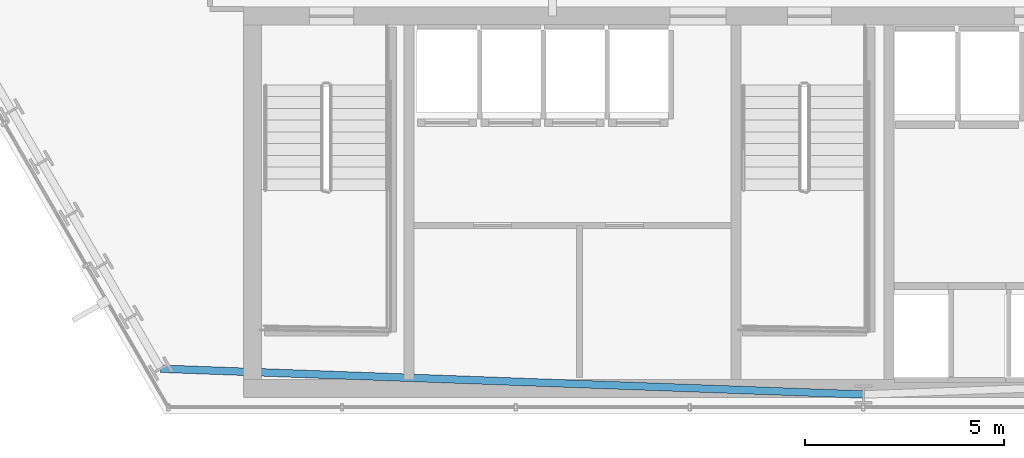
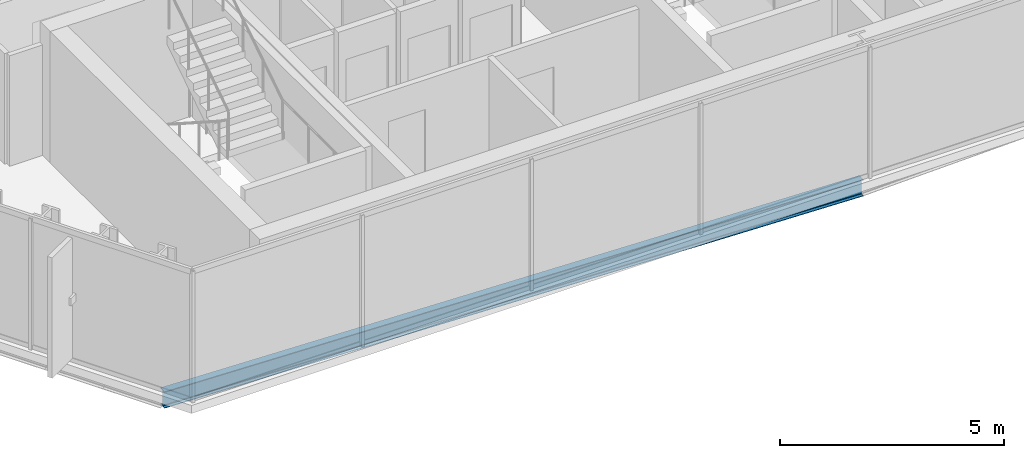
# One storey, part 3 of 32: 1 beam.
"""IFC4 building model written with IfcOpenShell, lengths in metres."""

from ifc_helpers import new_model, si_unit, direction, frame, origin, origin_2d, place, context, subcontext, project, spatial, i_section, extrude, material, material_profile, profile_set, type_object, element, save


model = new_model("IFC4")

# Units and contexts
model_context = context("Model", 3, precision=1e-05, world=origin(), true_north=direction((0.0, 1.0)))
body_context = subcontext(model_context, "Body", "Model", "MODEL_VIEW")
ifc_project = project(units=[si_unit("LENGTHUNIT", "METRE"), si_unit("AREAUNIT", "SQUARE_METRE"), si_unit("VOLUMEUNIT", "CUBIC_METRE"), si_unit("PLANEANGLEUNIT", "RADIAN"), si_unit("MASSUNIT", "GRAM", prefix="KILO")], contexts=[model_context])

# Site, building, storey
site_placement = place(None, origin())
site = spatial("IfcSite", under=ifc_project, at=site_placement, CompositionType="ELEMENT")
building_placement = place(site_placement, origin())
building = spatial("IfcBuilding", under=site, at=building_placement, Name="Ndaravel Arena Tower", CompositionType="ELEMENT")
storey_placement = place(building_placement, frame((0.0, 0.0, 130.800048828125)))
storey = spatial("IfcBuildingStorey", under=building, at=storey_placement, Name="L30", CompositionType="ELEMENT", Elevation=130.800048828125)

# Beam
ifc_material = material(Name="Steel S355", Category="steel")
ifc_material_profile = material_profile(ifc_material, i_section(OverallWidth=0.18994140625, OverallDepth=0.449951171875, WebThickness=0.009521484375, FlangeThickness=0.0146484375, FilletRadius=0.02099609375, at=origin_2d()), Name="IPE 450")
ifc_profile_set = profile_set([ifc_material_profile], Name="Steel S355")
beam_type = type_object("IfcBeamType", Name="BM-SPAN-IPE450", PredefinedType="SPANDREL", material=ifc_profile_set)
beam_placement = place(storey_placement, frame((24.3662109375, 6.127685546875, -0.445068359375), z_axis=(0.999326102031, -0.036706154797, 0.0), x_axis=(0.036706154797, 0.999326102031, 0.0)))
element("IfcBeam", 1, at=beam_placement, inside=storey, type_object=beam_type, Name="L30 Perimeter Spandrel Beam SP-27", PredefinedType="SPANDREL", context=body_context, shape_type="SweptSolid", body=[
    extrude(i_section(OverallWidth=0.18994140625, OverallDepth=0.449951171875, WebThickness=0.009521484375, FlangeThickness=0.0146484375, FilletRadius=0.02099609375, at=origin_2d()), origin(), (0.0, 0.0, 1.0), 17.645751953125),
])

save(model, "model.ifc")
